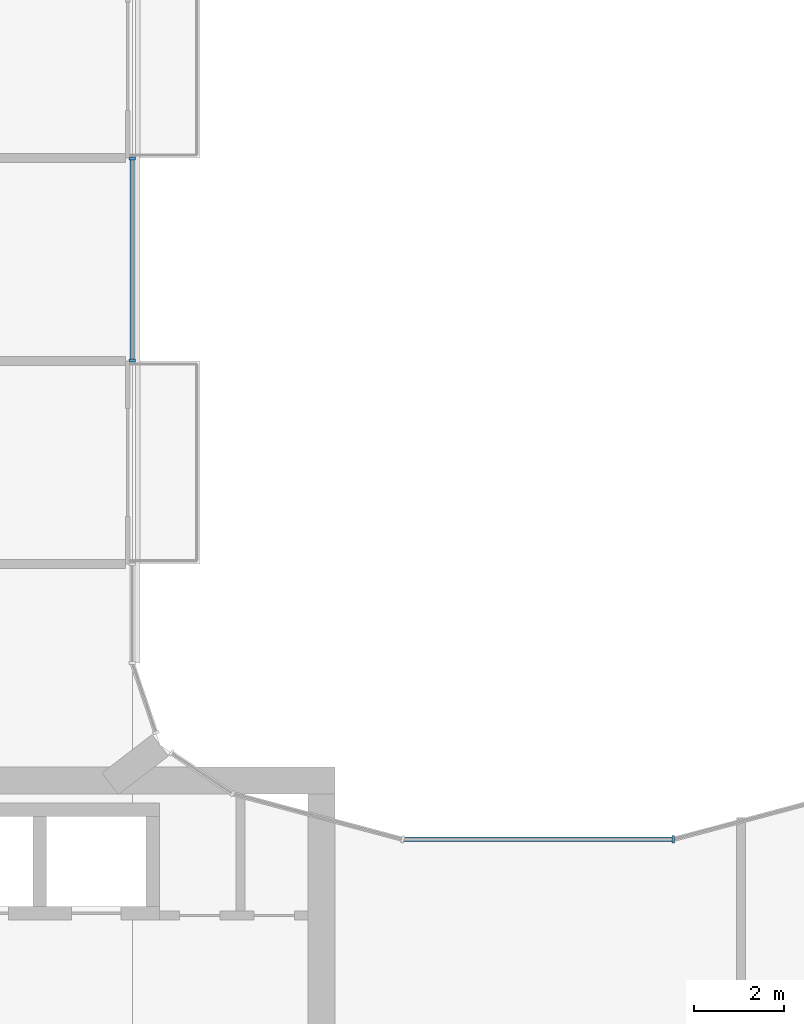
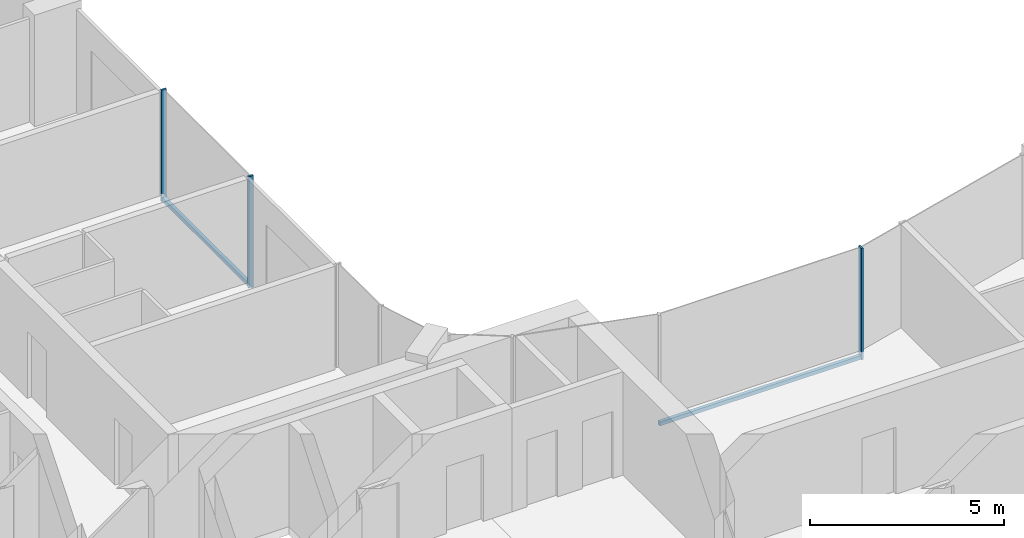
# One storey, part 5 of 15: 5 members, 2 elements without a shape of their own.
"""IFC4 building model written with IfcOpenShell, lengths in metres."""

from ifc_helpers import new_model, si_unit, direction, frame, origin, origin_2d, place, context, subcontext, project, spatial, rectangle, extrude, material, layer, layer_set, material_profile, profile_set, type_object, element, aggregate, save


model = new_model("IFC4")

# Units and contexts
model_context = context("Model", 3, precision=1e-05, world=origin(), true_north=direction((0.0, 1.0)))
body_context = subcontext(model_context, "Body", "Model", "MODEL_VIEW")
ifc_project = project(units=[si_unit("LENGTHUNIT", "METRE"), si_unit("AREAUNIT", "SQUARE_METRE"), si_unit("VOLUMEUNIT", "CUBIC_METRE"), si_unit("PLANEANGLEUNIT", "RADIAN"), si_unit("MASSUNIT", "GRAM", prefix="KILO")], contexts=[model_context])

# Site, building, storey
site_placement = place(None, origin())
site = spatial("IfcSite", under=ifc_project, at=site_placement, CompositionType="ELEMENT")
building_placement = place(site_placement, origin())
building = spatial("IfcBuilding", under=site, at=building_placement, Name="Plateau Cross Towers", CompositionType="ELEMENT")
storey_placement = place(building_placement, frame((0.0, 0.0, 156.89990234375)))
storey = spatial("IfcBuildingStorey", under=building, at=storey_placement, Name="L40", CompositionType="ELEMENT", Elevation=156.89990234375)

# Curtain wall, members
ifc_material_1 = material(Name="Dark low-iron glass", Category="glass")
ifc_layer_1 = layer(ifc_material_1, 0.239990234375)
ifc_layer_set_1 = layer_set([ifc_layer_1], Name="Dark low-iron glass")
curtain_wall_type_1 = type_object("IfcCurtainWallType", Name="Curtain wall flush unitised CW-B", PredefinedType="NOTDEFINED", material=ifc_layer_set_1)
curtain_wall_1_placement = place(storey_placement, origin())
curtain_wall_1 = element("IfcCurtainWall", 1, at=curtain_wall_1_placement, inside=storey, type_object=curtain_wall_type_1, Name="ENV/A/L40/A180_270", PredefinedType="NOTDEFINED")
ifc_material_2 = material(Name="Black anodised aluminium", Category="aluminium")
ifc_material_profile_1 = material_profile(ifc_material_2, rectangle(XDim=0.06005859375, YDim=0.139892578125, at=origin_2d()), Name="MULLION 60x140")
ifc_profile_set_1 = profile_set([ifc_material_profile_1], Name="Black anodised aluminium")
member_type_1 = type_object("IfcMemberType", Name="Mullion 60x140 flush unitised", PredefinedType="MULLION", material=ifc_profile_set_1)
member_1_placement = place(storey_placement, frame((18.0, 27.010009765625, -0.25), z_axis=(0.0, 0.0, 1.0), x_axis=(0.0, 1.0, 0.0)))
member_1 = element("IfcMember", 2, at=member_1_placement, type_object=member_type_1, Name="CW-B mullion 1", PredefinedType="MULLION", context=body_context, shape_type="SweptSolid", body=[
    extrude(rectangle(XDim=0.06005859375, YDim=0.139892578125, at=origin_2d()), origin(), (0.0, 0.0, 1.0), 3.5),
])
member_2_placement = place(storey_placement, frame((18.0, 31.489990234375, -0.25), z_axis=(0.0, 0.0, 1.0), x_axis=(0.0, 1.0, 0.0)))
member_2 = element("IfcMember", 3, at=member_2_placement, type_object=member_type_1, Name="CW-B mullion 2", PredefinedType="MULLION", context=body_context, shape_type="SweptSolid", body=[
    extrude(rectangle(XDim=0.06005859375, YDim=0.139892578125, at=origin_2d()), origin(), (0.0, 0.0, 1.0), 3.5),
])

# Curtain wall, member
ifc_layer_2 = layer(ifc_material_1, 0.260009765625)
ifc_layer_set_2 = layer_set([ifc_layer_2], Name="Dark low-iron glass")
curtain_wall_type_2 = type_object("IfcCurtainWallType", Name="Curtain wall fluted unitised CW-A", PredefinedType="NOTDEFINED", material=ifc_layer_set_2)
curtain_wall_2_placement = place(storey_placement, origin())
curtain_wall_2 = element("IfcCurtainWall", 4, at=curtain_wall_2_placement, inside=storey, type_object=curtain_wall_type_2, Name="ENV/A/L40/A300_164", PredefinedType="NOTDEFINED")
ifc_material_profile_2 = material_profile(ifc_material_2, rectangle(XDim=0.06005859375, YDim=0.159912109375, at=origin_2d()), Name="MULLION 60x160")
ifc_profile_set_2 = profile_set([ifc_material_profile_2], Name="Black anodised aluminium")
member_type_2 = type_object("IfcMemberType", Name="Mullion 60x160 fluted unitised", PredefinedType="MULLION", material=ifc_profile_set_2)
member_3_placement = place(storey_placement, frame((30.0, 16.39306640625, -0.25), z_axis=(0.0, 0.0, 1.0), x_axis=(-1.0, 0.0, 0.0)))
member_3 = element("IfcMember", 5, at=member_3_placement, type_object=member_type_2, Name="CW-A mullion 1", PredefinedType="MULLION", context=body_context, shape_type="SweptSolid", body=[
    extrude(rectangle(XDim=0.06005859375, YDim=0.159912109375, at=origin_2d()), origin(), (0.0, 0.0, 1.0), 3.5),
])

# Member
ifc_material_profile_3 = material_profile(ifc_material_2, rectangle(XDim=0.10009765625, YDim=0.1201171875, at=origin_2d()), Name="TRANSOM 100x120")
ifc_profile_set_3 = profile_set([ifc_material_profile_3], Name="Black anodised aluminium")
member_type_3 = type_object("IfcMemberType", Name="Transom 100x120 flush unitised", PredefinedType="USERDEFINED", material=ifc_profile_set_3)
member_4_placement = place(storey_placement, frame((18.0, 27.010009765625, -0.18994140625), z_axis=(0.0, 1.0, 0.0), x_axis=(-1.0, 0.0, 0.0)))
member_4 = element("IfcMember", 6, at=member_4_placement, type_object=member_type_3, Name="CW-B transom", ObjectType="TRANSOM", PredefinedType="USERDEFINED", context=body_context, shape_type="SweptSolid", body=[
    extrude(rectangle(XDim=0.10009765625, YDim=0.1201171875, at=origin_2d()), origin(), (0.0, 0.0, 1.0), 4.47998046875),
])

aggregate(curtain_wall_1, [member_1, member_2, member_4])

ifc_material_profile_4 = material_profile(ifc_material_2, rectangle(XDim=0.10009765625, YDim=0.1201171875, at=origin_2d()), Name="TRANSOM 100x120")
ifc_profile_set_4 = profile_set([ifc_material_profile_4], Name="Black anodised aluminium")
member_type_4 = type_object("IfcMemberType", Name="Transom 100x120 fluted unitised", PredefinedType="USERDEFINED", material=ifc_profile_set_4)
member_5_placement = place(storey_placement, frame((30.0, 16.39306640625, -0.18994140625), z_axis=(-1.0, 0.0, 0.0), x_axis=(0.0, -1.0, 0.0)))
member_5 = element("IfcMember", 7, at=member_5_placement, type_object=member_type_4, Name="CW-A transom", ObjectType="TRANSOM", PredefinedType="USERDEFINED", context=body_context, shape_type="SweptSolid", body=[
    extrude(rectangle(XDim=0.10009765625, YDim=0.1201171875, at=origin_2d()), origin(), (0.0, 0.0, 1.0), 6.0),
])

aggregate(curtain_wall_2, [member_3, member_5])

save(model, "model.ifc")
